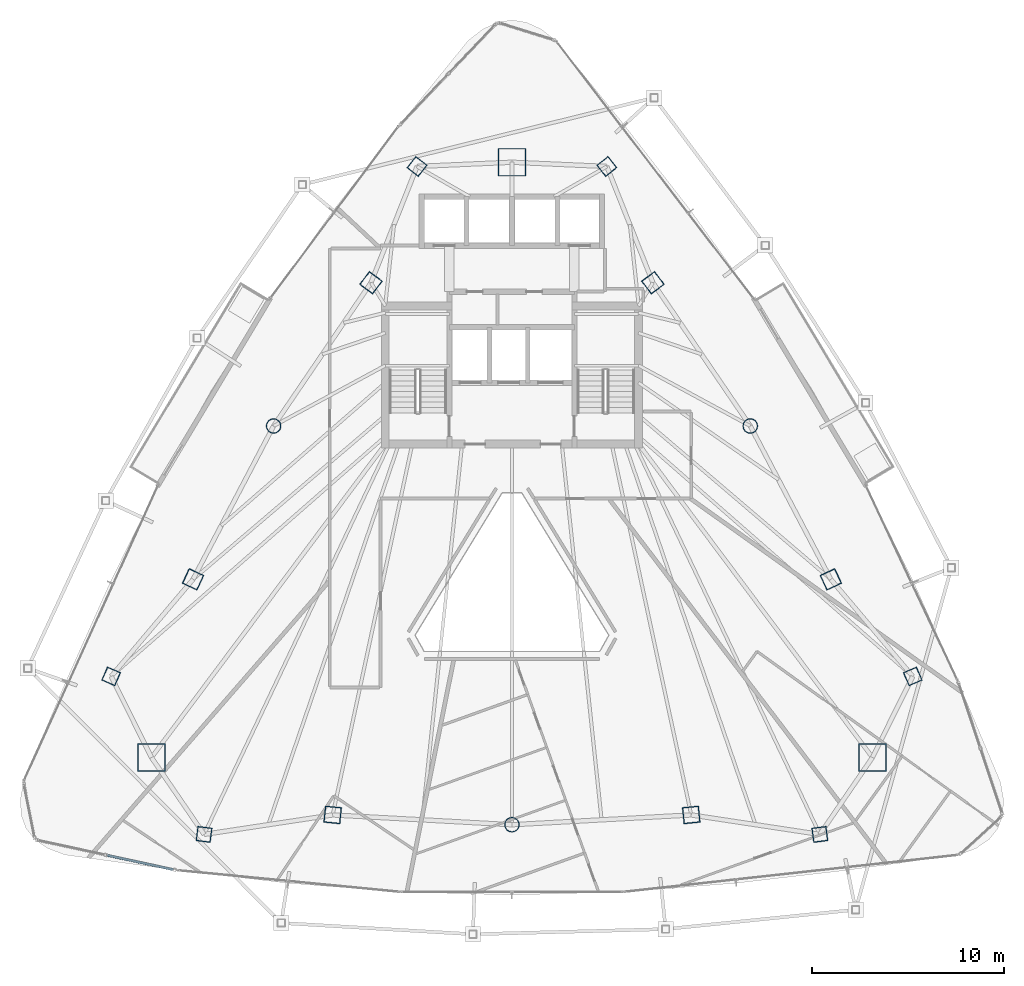
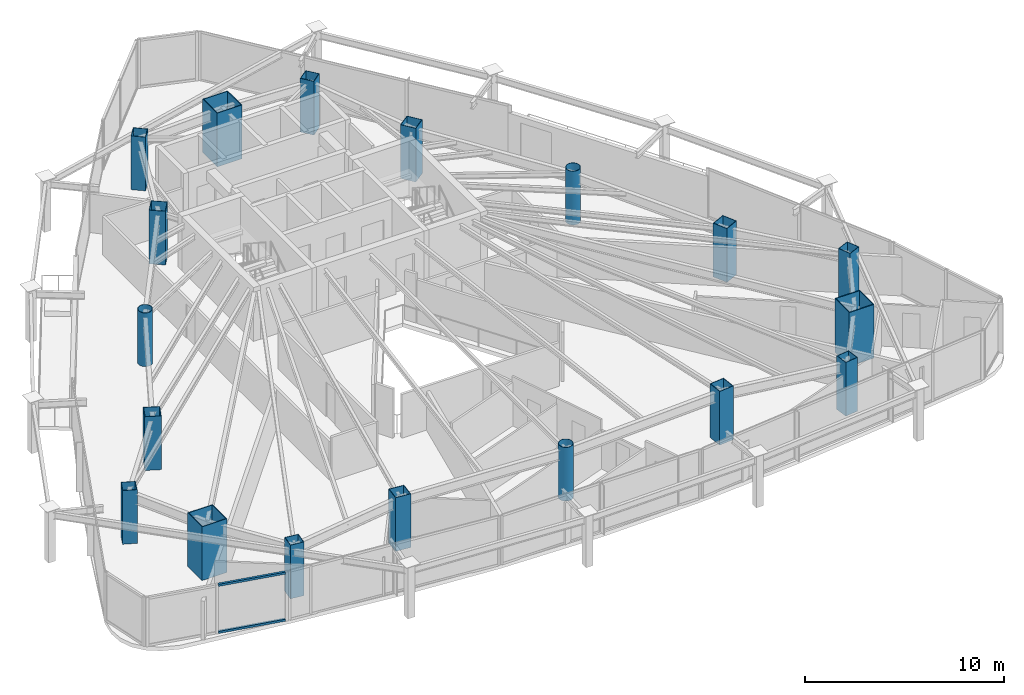
# One storey, part 1 of 30: 18 columns, 2 members, 1 element without a shape of its own.
"""IFC4 building model written with IfcOpenShell, lengths in metres."""

from ifc_helpers import new_model, si_unit, direction, frame, origin, origin_2d, place, context, subcontext, project, spatial, hollow_rectangle, hollow_circle, extrude, material, layer, layer_set, material_profile, profile_set, type_object, element, aggregate, save


model = new_model("IFC4")

# Units and contexts
model_context = context("Model", 3, precision=1e-05, world=origin(), true_north=direction((0.0, 1.0)))
body_context = subcontext(model_context, "Body", "Model", "MODEL_VIEW")
ifc_project = project(units=[si_unit("LENGTHUNIT", "METRE"), si_unit("AREAUNIT", "SQUARE_METRE"), si_unit("VOLUMEUNIT", "CUBIC_METRE"), si_unit("PLANEANGLEUNIT", "RADIAN"), si_unit("MASSUNIT", "GRAM", prefix="KILO")], contexts=[model_context])

# Site, building, storey
site_placement = place(None, origin())
site = spatial("IfcSite", under=ifc_project, at=site_placement, CompositionType="ELEMENT")
building_placement = place(site_placement, origin())
building = spatial("IfcBuilding", under=site, at=building_placement, Name="Orvanel Arch Residences", CompositionType="ELEMENT")
storey_placement = place(building_placement, frame((0.0, 0.0, 143.0)))
storey = spatial("IfcBuildingStorey", under=building, at=storey_placement, Name="L40", CompositionType="ELEMENT", Elevation=143.0)

# Columns
ifc_material_1 = material(Name="Structural steel AS/NZS 1163 C450L0 (Grade 450)", Category="steel")
ifc_material_profile_1 = material_profile(ifc_material_1, hollow_circle(Radius=0.381103515625, WallThickness=0.02197265625, at=origin_2d()), Name="CHS762x22")
ifc_profile_set_1 = profile_set([ifc_material_profile_1], Name="Structural steel AS/NZS 1163 C450L0 (Grade 450)")
column_type_1 = type_object("IfcColumnType", Name="CC-762", PredefinedType="COLUMN", material=ifc_profile_set_1)
for number, where, z_axis, x_axis, name in (
    (1, (20.569091796875, 27.64111328125, 0.0), (0.0, 0.0, 1.0), (1.0, 0.0, 0.0), "L40 High-Rise Tube Column 02"),
    (2, (33.0, 6.843994140625, 0.0), (0.0, 0.0, 1.0), (1.0, 0.0, 0.0), "L40 High-Rise Tube Column 05"),
    (3, (45.430908203125, 27.64111328125, 0.0), (0.0, 0.0, 1.0), (1.0, 0.0, 0.0), "L40 High-Rise Tube Column 08"),
):
    element("IfcColumn", number, at=place(storey_placement, frame(where, z_axis=z_axis, x_axis=x_axis)), inside=storey, type_object=column_type_1, Name=name, PredefinedType="COLUMN", context=body_context, shape_type="SweptSolid", body=[
        extrude(hollow_circle(Radius=0.381103515625, WallThickness=0.02197265625, at=origin_2d()), origin(), (0.0, 0.0, 1.0), 3.300048828125),
    ])
ifc_material_2 = material(Name="Structural steel AS/NZS 3678 Grade 450", Category="steel")
ifc_material_profile_2 = material_profile(ifc_material_2, hollow_rectangle(XDim=1.449951171875, YDim=1.449951171875, WallThickness=0.044921875, at=origin_2d()), Name="BOX1450x1450x45")
ifc_profile_set_2 = profile_set([ifc_material_profile_2], Name="Structural steel AS/NZS 3678 Grade 450")
column_type_2 = type_object("IfcColumnType", Name="MC-1450", PredefinedType="COLUMN", material=ifc_profile_set_2)
for number, where, z_axis, x_axis, name in (
    (4, (33.0, 41.39794921875, 0.0), (0.0, 0.0, 1.0), (1.0, 0.0, 0.0), "L40 Corner Mega-Column 1"),
    (5, (14.198974609375, 10.35107421875, 0.0), (0.0, 0.0, 1.0), (1.0, 0.0, 0.0), "L40 Corner Mega-Column 2"),
    (6, (51.801025390625, 10.35107421875, 0.0), (0.0, 0.0, 1.0), (1.0, 0.0, 0.0), "L40 Corner Mega-Column 3"),
):
    element("IfcColumn", number, at=place(storey_placement, frame(where, z_axis=z_axis, x_axis=x_axis)), inside=storey, type_object=column_type_2, Name=name, PredefinedType="COLUMN", context=body_context, shape_type="SweptSolid", body=[
        extrude(hollow_rectangle(XDim=1.449951171875, YDim=1.449951171875, WallThickness=0.044921875, at=origin_2d()), origin(), (0.0, 0.0, 1.0), 3.300048828125),
    ])
ifc_material_3 = material(Name="Structural steel AS/NZS 3678 Grade 350", Category="steel")
ifc_material_profile_3 = material_profile(ifc_material_3, hollow_rectangle(XDim=0.75, YDim=0.75, WallThickness=0.02490234375, at=origin_2d()), Name="BOX750x750x25")
ifc_profile_set_3 = profile_set([ifc_material_profile_3], Name="Structural steel AS/NZS 3678 Grade 350")
column_type_3 = type_object("IfcColumnType", Name="TC-750", PredefinedType="COLUMN", material=ifc_profile_set_3)
for number, where, z_axis, x_axis, name in (
    (7, (28.050048828125, 41.177978515625, 0.0), (0.0, 0.0, 1.0), (0.623879596709, 0.781520472419, 0.0), "L40 Mid-Rise Buttress Tube Column 01"),
    (8, (12.094970703125, 14.580078125, 0.0), (0.0, 0.0, 1.0), (0.397147890635, 0.917754625684, 0.0), "L40 Mid-Rise Buttress Tube Column 02"),
    (9, (16.94091796875, 6.339111328125, 0.0), (0.0, 0.0, 1.0), (-0.99189444259, 0.127064608601, 0.0), "L40 Mid-Rise Buttress Tube Column 03"),
    (10, (49.05908203125, 6.339111328125, 0.0), (0.0, 0.0, 1.0), (0.99189444259, 0.127064608601, 0.0), "L40 Mid-Rise Buttress Tube Column 04"),
    (11, (53.905029296875, 14.580078125, 0.0), (0.0, 0.0, 1.0), (-0.397147890635, 0.917754625684, 0.0), "L40 Mid-Rise Buttress Tube Column 05"),
    (12, (37.949951171875, 41.177978515625, 0.0), (0.0, 0.0, 1.0), (-0.623879596709, 0.781520472419, 0.0), "L40 Mid-Rise Buttress Tube Column 06"),
):
    element("IfcColumn", number, at=place(storey_placement, frame(where, z_axis=z_axis, x_axis=x_axis)), inside=storey, type_object=column_type_3, Name=name, PredefinedType="COLUMN", context=body_context, shape_type="SweptSolid", body=[
        extrude(hollow_rectangle(XDim=0.75, YDim=0.75, WallThickness=0.02490234375, at=origin_2d()), origin(), (0.0, 0.0, 1.0), 3.300048828125),
    ])
ifc_material_profile_4 = material_profile(ifc_material_3, hollow_rectangle(XDim=0.85009765625, YDim=0.85009765625, WallThickness=0.028076171875, at=origin_2d()), Name="BOX850x850x28")
ifc_profile_set_4 = profile_set([ifc_material_profile_4], Name="Structural steel AS/NZS 3678 Grade 350")
column_type_4 = type_object("IfcColumnType", Name="TC-850", PredefinedType="COLUMN", material=ifc_profile_set_4)
for number, where, z_axis, x_axis, name in (
    (13, (25.64794921875, 35.113037109375, 0.0), (0.0, 0.0, 1.0), (0.600420225326, 0.799684658487, 0.0), "L40 High-Rise Tube Column 01"),
    (14, (16.366943359375, 19.64208984375, 0.0), (0.0, 0.0, 1.0), (0.422618261741, 0.906307787037, 0.0), "L40 High-Rise Tube Column 03"),
    (15, (23.64892578125, 7.35498046875, 0.0), (0.0, 0.0, 1.0), (-0.994880708829, 0.101056297183, 0.0), "L40 High-Rise Tube Column 04"),
    (16, (42.35107421875, 7.35498046875, 0.0), (0.0, 0.0, 1.0), (0.994880708829, 0.101056297183, 0.0), "L40 High-Rise Tube Column 06"),
    (17, (49.633056640625, 19.64208984375, 0.0), (0.0, 0.0, 1.0), (-0.422618261741, 0.906307787037, 0.0), "L40 High-Rise Tube Column 07"),
    (18, (40.35205078125, 35.113037109375, 0.0), (0.0, 0.0, 1.0), (-0.600420225326, 0.799684658487, 0.0), "L40 High-Rise Tube Column 09"),
):
    element("IfcColumn", number, at=place(storey_placement, frame(where, z_axis=z_axis, x_axis=x_axis)), inside=storey, type_object=column_type_4, Name=name, PredefinedType="COLUMN", context=body_context, shape_type="SweptSolid", body=[
        extrude(hollow_rectangle(XDim=0.85009765625, YDim=0.85009765625, WallThickness=0.028076171875, at=origin_2d()), origin(), (0.0, 0.0, 1.0), 3.300048828125),
    ])

# Curtain wall, members
ifc_material_4 = material(Name="Bronze-anodised aluminium AA6063-T6", Category="aluminium")
ifc_layer = layer(ifc_material_4, 0.18994140625)
ifc_layer_set = layer_set([ifc_layer], Name="Bronze-anodised aluminium AA6063-T6")
curtain_wall_type = type_object("IfcCurtainWallType", Name="CW5-CRN-SYS", PredefinedType="NOTDEFINED", material=ifc_layer_set)
curtain_wall_placement = place(storey_placement, origin())
curtain_wall = element("IfcCurtainWall", 19, at=curtain_wall_placement, inside=storey, type_object=curtain_wall_type, Name="L40 CW5-CRN-SYS Unitised Curtain Wall", PredefinedType="NOTDEFINED")
ifc_material_profile_5 = material_profile(ifc_material_4, hollow_rectangle(XDim=0.1298828125, YDim=0.1298828125, WallThickness=0.00439453125, at=origin_2d()), Name="ALU130x130x4.5")
ifc_profile_set_5 = profile_set([ifc_material_profile_5], Name="Bronze-anodised aluminium AA6063-T6")
member_type = type_object("IfcMemberType", Name="TRN-130x130", PredefinedType="USERDEFINED", material=ifc_profile_set_5)
member_1_placement = place(storey_placement, frame((11.88671875, 5.251708984375, 0.06494140625), z_axis=(0.977394103242, -0.21142555888, 0.0), x_axis=(0.21142555888, 0.977394103242, 0.0)))
member_1 = element("IfcMember", 20, at=member_1_placement, type_object=member_type, Name="CW-S5 transom 2.1", ObjectType="TRANSOM", PredefinedType="USERDEFINED", context=body_context, shape_type="SweptSolid", body=[
    extrude(hollow_rectangle(XDim=0.1298828125, YDim=0.1298828125, WallThickness=0.00439453125, at=origin_2d()), origin(), (0.0, 0.0, 1.0), 3.533447265625),
])
member_2_placement = place(storey_placement, frame((11.88671875, 5.251708984375, 2.955078125), z_axis=(0.977394103242, -0.21142555888, 0.0), x_axis=(0.21142555888, 0.977394103242, 0.0)))
member_2 = element("IfcMember", 21, at=member_2_placement, type_object=member_type, Name="CW-S5 transom 2.2", ObjectType="TRANSOM", PredefinedType="USERDEFINED", context=body_context, shape_type="SweptSolid", body=[
    extrude(hollow_rectangle(XDim=0.1298828125, YDim=0.1298828125, WallThickness=0.00439453125, at=origin_2d()), origin(), (0.0, 0.0, 1.0), 3.533447265625),
])
aggregate(curtain_wall, [member_1, member_2])

save(model, "model.ifc")
